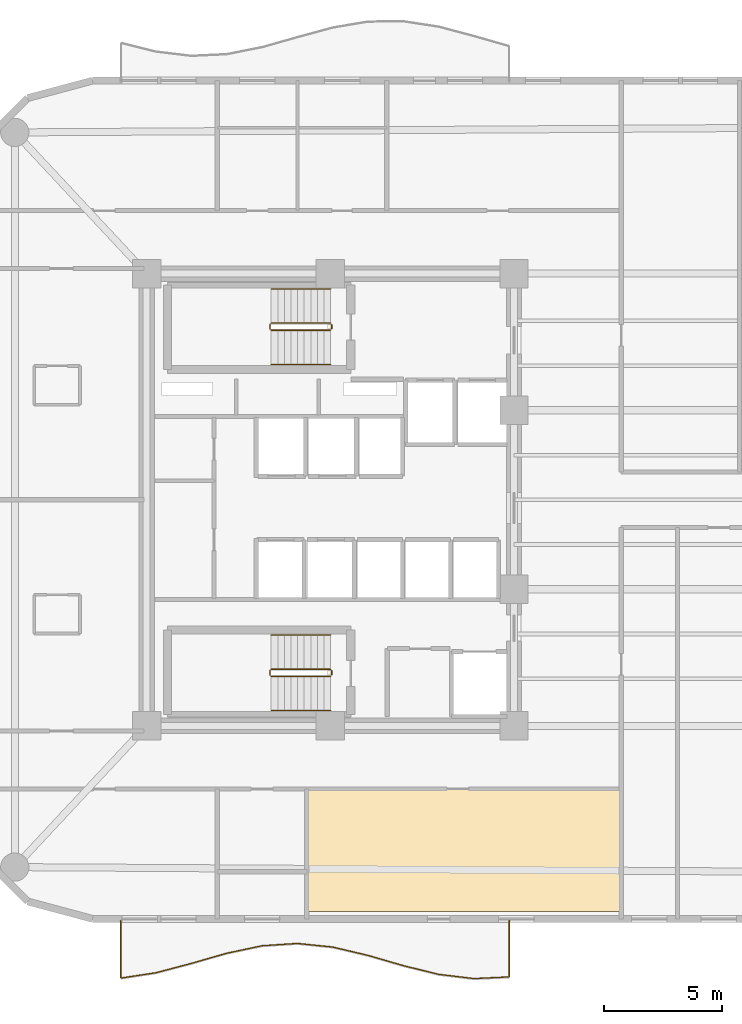
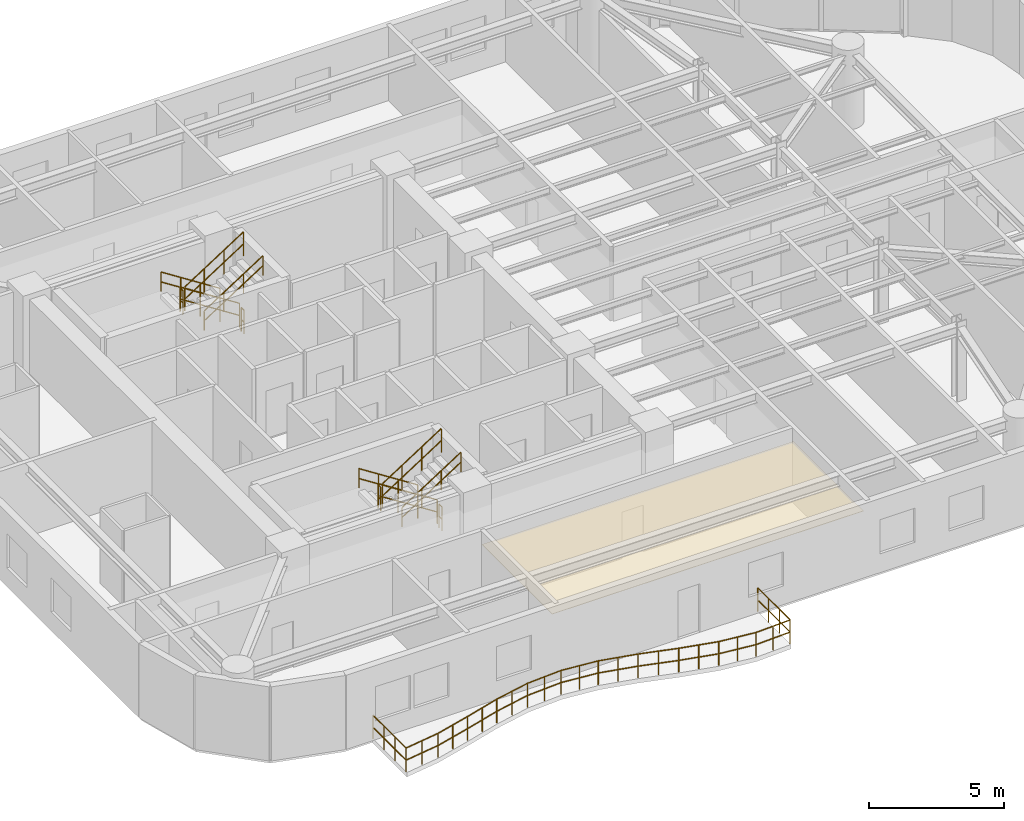
# One storey, part 14 of 15: 13 railings, 1 covering.
"""IFC4 building model written with IfcOpenShell, lengths in metres."""

import ifcopenshell
import ifcopenshell.guid

model = None  # the IFC model being written
_history = None  # IfcOwnerHistory: only IFC2X3 demands one
_inside = {}  # id of a spatial element -> (the spatial element, [elements in it])
_under = {}  # id of a project, library or spatial element -> (it, [spatial elements below it])
_declared = {}  # id of a project -> (the project, [libraries it declares])
_typed = {}  # id of a type object -> (the type object, [elements of that type])
_made_of = {}  # id of a material, layer set ... -> (it, [elements and type objects made of it])


def new_model(schema):
    """Start an empty IFC model of exactly this schema.

    Asked for "IFC4X3", IfcOpenShell would pick the latest addendum, in which some entities
    have other attributes; the version numbers below select the first issue.
    IFC2X3 requires an IfcOwnerHistory on every rooted entity: one is made here for all.
    """
    global model, _history
    if schema == "IFC4X3":
        model = ifcopenshell.file(schema_version=(4, 3, 0, 0))
    else:
        model = ifcopenshell.file(schema=schema)
    _inside.clear()
    _under.clear()
    _declared.clear()
    _typed.clear()
    _made_of.clear()
    _history = None
    if model.schema == "IFC2X3":
        org = make("IfcOrganization", Name="unknown")
        user = make(
            "IfcPersonAndOrganization",
            ThePerson=make("IfcPerson", FamilyName="unknown"),
            TheOrganization=org,
        )
        app = make(
            "IfcApplication",
            ApplicationDeveloper=org,
            Version="unknown",
            ApplicationFullName="unknown",
            ApplicationIdentifier="unknown",
        )
        _history = make(
            "IfcOwnerHistory",
            OwningUser=user,
            OwningApplication=app,
            ChangeAction="ADDED",
            CreationDate=0,
        )
    return model


def make(cls, **values):
    """One entity of the class cls with the attributes given. An attribute that is None is left unset."""
    return model.create_entity(
        cls, **{name: value for name, value in values.items() if value is not None}
    )


def rooted(cls, **values):
    """An entity with a GlobalId (a new one), such as an element, a storey or a relation."""
    return make(cls, GlobalId=ifcopenshell.guid.new(), OwnerHistory=_history, **values)


def si_unit(unit_type, name, prefix=None):
    """IfcSIUnit, for example si_unit("LENGTHUNIT", "METRE", prefix="MILLI")."""
    return make("IfcSIUnit", UnitType=unit_type, Prefix=prefix, Name=name)


def assignment(units):
    """IfcUnitAssignment: the units of a project."""
    return None if units is None else make("IfcUnitAssignment", Units=units)


def point(xyz):
    """IfcCartesianPoint."""
    return None if xyz is None else make("IfcCartesianPoint", Coordinates=xyz)


def direction(xyz):
    """IfcDirection."""
    return None if xyz is None else make("IfcDirection", DirectionRatios=xyz)


def frame(location, z_axis=None, x_axis=None):
    """IfcAxis2Placement3D, a coordinate frame: its origin and axes. An axis left out is left unset."""
    return make(
        "IfcAxis2Placement3D",
        Location=point(location),
        Axis=direction(z_axis),
        RefDirection=direction(x_axis),
    )


def frame_2d(location, x_axis=None):
    """IfcAxis2Placement2D, a coordinate frame in the plane: its origin and x axis."""
    return make(
        "IfcAxis2Placement2D", Location=point(location), RefDirection=direction(x_axis)
    )


def origin():
    """The frame at (0, 0, 0) with its axes left unset."""
    return frame((0.0, 0.0, 0.0))


def origin_2d():
    """The frame at (0, 0) in the plane with its x axis left unset."""
    return frame_2d((0.0, 0.0))


def place(relative_to, where):
    """IfcLocalPlacement: puts the frame where relative to a parent placement (None: the world)."""
    return make(
        "IfcLocalPlacement", PlacementRelTo=relative_to, RelativePlacement=where
    )


def context(
    kind, dimensions, precision=None, world=None, true_north=None, identifier=None
):
    """IfcGeometricRepresentationContext, for example the 3D "Model" context."""
    return make(
        "IfcGeometricRepresentationContext",
        ContextIdentifier=identifier,
        ContextType=kind,
        CoordinateSpaceDimension=dimensions,
        Precision=precision,
        WorldCoordinateSystem=world,
        TrueNorth=true_north,
    )


def subcontext(parent, identifier, kind, view, scale=None):
    """IfcGeometricRepresentationSubContext, for example "Body" below "Model"."""
    return make(
        "IfcGeometricRepresentationSubContext",
        ContextIdentifier=identifier,
        ContextType=kind,
        ParentContext=parent,
        TargetScale=scale,
        TargetView=view,
    )


def project(units=None, contexts=None):
    """IfcProject with its units and contexts."""
    return rooted(
        "IfcProject",
        Name="project",
        RepresentationContexts=contexts,
        UnitsInContext=assignment(units),
    )


def spatial(cls, under=None, at=None, **own):
    """A site, building, storey or space (cls), placed at a placement, below another one or the project."""
    s = rooted(cls, ObjectPlacement=at, **own)
    if under is not None:
        _under.setdefault(under.id(), (under, []))[1].append(s)
    return s


def polyline(points):
    """IfcPolyline through the points."""
    return make("IfcPolyline", Points=[point(p) for p in points])


def profile(cls, at=None, kind="AREA", **sizes):
    """A parametric profile (cls). Its sizes go by their IFC names, for example OverallWidth=200.0."""
    return make(cls, ProfileType=kind, Position=at, **sizes)


def circle(**sizes):
    """IfcCircleProfileDef."""
    return profile("IfcCircleProfileDef", **sizes)


def outline(outer, holes=None, kind="AREA"):
    """IfcArbitraryClosedProfileDef: a profile drawn as a closed curve; with holes, ...WithVoids."""
    if holes is None:
        return make("IfcArbitraryClosedProfileDef", ProfileType=kind, OuterCurve=outer)
    return make(
        "IfcArbitraryProfileDefWithVoids",
        ProfileType=kind,
        OuterCurve=outer,
        InnerCurves=holes,
    )


def extrude(swept, where, along, depth):
    """IfcExtrudedAreaSolid: the profile swept, set in the frame where, extruded along a direction by depth."""
    return make(
        "IfcExtrudedAreaSolid",
        SweptArea=swept,
        Position=where,
        ExtrudedDirection=direction(along),
        Depth=depth,
    )


def shape(context_of_items, identifier, shape_type, items):
    """IfcShapeRepresentation: the items that make up one representation, for example the "Body"."""
    return make(
        "IfcShapeRepresentation",
        ContextOfItems=context_of_items,
        RepresentationIdentifier=identifier,
        RepresentationType=shape_type,
        Items=items,
    )


def material(Name=None, Category=None):
    """IfcMaterial."""
    return make("IfcMaterial", Name=Name, Category=Category)


def layer(
    of_material, thickness, ventilated=None, Name=None, Category=None, Priority=None
):
    """IfcMaterialLayer: one layer of a wall or slab, of a material (None: an air gap)."""
    return make(
        "IfcMaterialLayer",
        Material=of_material,
        LayerThickness=thickness,
        IsVentilated=ventilated,
        Name=Name,
        Category=Category,
        Priority=Priority,
    )


def layer_set(layers, Name=None):
    """IfcMaterialLayerSet."""
    return make("IfcMaterialLayerSet", MaterialLayers=layers, LayerSetName=Name)


def made_of(thing, what):
    """Note that an element or type object is made of a material, layer set ...; save() writes the relation."""
    if what is not None:
        _made_of.setdefault(what.id(), (what, []))[1].append(thing)
    return thing


def type_object(cls, material=None, **own):
    """A type object (cls), such as IfcWallType, which elements share."""
    return made_of(rooted(cls, **own), material)


def element(
    cls,
    number,
    at=None,
    inside=None,
    cuts=None,
    type_object=None,
    material=None,
    context=None,
    identifier="Body",
    shape_type=None,
    held_by="IfcProductDefinitionShape",
    body=None,
    shapes=None,
    **own,
):
    """One element of the class cls, such as IfcWall. Its Tag is "e" and its number.

    at: its placement. inside: the storey or other place that contains it. cuts: it is an
    opening in that element (IfcRelVoidsElement). A single representation is given by context,
    identifier, shape_type and body (its items); several are given by shapes. held_by: the class
    of the entity that holds the representations. save() writes the other relations.
    """
    e = rooted(cls, Tag="e%d" % number, ObjectPlacement=at, **own)
    if body is not None:
        shapes = [shape(context, identifier, shape_type, body)]
    if shapes is not None:
        e.Representation = make(held_by, Representations=shapes)
    if inside is not None:
        _inside.setdefault(inside.id(), (inside, []))[1].append(e)
    if cuts is not None:
        rooted(
            "IfcRelVoidsElement", RelatingBuildingElement=cuts, RelatedOpeningElement=e
        )
    if type_object is not None:
        _typed.setdefault(type_object.id(), (type_object, []))[1].append(e)
    return made_of(e, material)


def aggregate(whole, parts):
    """IfcRelAggregates: a whole, such as a stair, and the parts it consists of."""
    return rooted("IfcRelAggregates", RelatingObject=whole, RelatedObjects=parts)


def save(model, path):
    """Write the relations noted so far, then the file.

    IfcRelAggregates (storeys below a building ...), IfcRelContainedInSpatialStructure (elements
    in a storey), IfcRelDefinesByType, IfcRelAssociatesMaterial and IfcRelDeclares: one each for
    every whole, place, type object, material and project.
    """
    for whole, parts in _under.values():
        aggregate(whole, parts)
    for where, things in _inside.values():
        rooted(
            "IfcRelContainedInSpatialStructure",
            RelatedElements=things,
            RelatingStructure=where,
        )
    for kind, things in _typed.values():
        rooted("IfcRelDefinesByType", RelatedObjects=things, RelatingType=kind)
    for what, things in _made_of.values():
        rooted("IfcRelAssociatesMaterial", RelatedObjects=things, RelatingMaterial=what)
    for by, libraries in _declared.values():
        rooted("IfcRelDeclares", RelatingContext=by, RelatedDefinitions=libraries)
    model.write(path)


model = new_model("IFC4")

# Units and contexts
model_context = context("Model", 3, precision=1e-05, world=origin(), true_north=direction((0.0, 1.0)))
body_context = subcontext(model_context, "Body", "Model", "MODEL_VIEW")
ifc_project = project(units=[si_unit("LENGTHUNIT", "METRE"), si_unit("AREAUNIT", "SQUARE_METRE"), si_unit("VOLUMEUNIT", "CUBIC_METRE"), si_unit("PLANEANGLEUNIT", "RADIAN"), si_unit("MASSUNIT", "GRAM", prefix="KILO")], contexts=[model_context])

# Site, building, storey
site_placement = place(None, origin())
site = spatial("IfcSite", under=ifc_project, at=site_placement, CompositionType="ELEMENT")
building_placement = place(site_placement, origin())
building = spatial("IfcBuilding", under=site, at=building_placement, Name="An Khanh Terracotta Commons", CompositionType="ELEMENT")
storey_placement = place(building_placement, frame((0.0, 0.0, 187.0)))
storey = spatial("IfcBuildingStorey", under=building, at=storey_placement, Name="L49", CompositionType="ELEMENT", Elevation=187.0)

# Covering
ifc_material_1 = material(Name="Perforated Mineral-Fibre Acoustic Tile")
ifc_layer = layer(ifc_material_1, 0.02001953125, Name="Perforated Mineral-Fibre Acoustic Tile")
ifc_layer_set = layer_set([ifc_layer], Name="Perforated Mineral-Fibre Acoustic Tile")
covering_type = type_object("IfcCoveringType", Name="CEIL-ACOUSTIC-18", PredefinedType="CEILING", material=ifc_layer_set)
covering_placement = place(storey_placement, frame((0.0, 0.0, 2.64990234375)))
element("IfcCovering", 1, at=covering_placement, inside=storey, type_object=covering_type, Name="L49 Music Lounge Ceiling", PredefinedType="CEILING", context=body_context, shape_type="SweptSolid", body=[
    extrude(outline(polyline([(28.39990234375, 6.52001953125), (28.39990234375, 8.199951171875), (28.39990234375, 11.719970703125), (37.5, 11.719970703125), (41.75, 11.719970703125), (41.75, 6.52001953125), (28.39990234375, 6.52001953125)])), origin(), (0.0, 0.0, 1.0), 0.02001953125),
])

# Railings
ifc_material_2 = material(Name="Brushed Stainless Steel 316", Category="steel")
railing_type_1 = type_object("IfcRailingType", Name="RAIL-BALUSTRADE-1100", PredefinedType="BALUSTRADE", material=ifc_material_2)
railing_1_placement = place(storey_placement, frame((20.5, 6.139892578125, 0.0)))
element("IfcRailing", 2, at=railing_1_placement, inside=storey, type_object=railing_type_1, Name="L49 S Wave Balcony Guard Balustrade", PredefinedType="BALUSTRADE", context=body_context, shape_type="SweptSolid", body=[
    extrude(circle(Radius=0.02392578125, at=origin_2d()), frame((0.0, 0.0, 1.076171875), z_axis=(0.0, -1.0, 0.0), x_axis=(1.0, 0.0, 0.0)), (0.0, 0.0, 1.0), 2.453857421875),
    extrude(circle(Radius=0.02392578125, at=origin_2d()), frame((0.0, 0.0, 0.52587890625), z_axis=(0.0, -1.0, 0.0), x_axis=(1.0, 0.0, 0.0)), (0.0, 0.0, 1.0), 2.453857421875),
    extrude(circle(Radius=0.02392578125, at=origin_2d()), frame((0.0, -2.453857421875, 1.076171875), z_axis=(0.988545890906, 0.15092058035, 0.0), x_axis=(-0.15092058035, 0.988545890906, 0.0)), (0.0, 0.0, 1.0), 1.517333984375),
    extrude(circle(Radius=0.02392578125, at=origin_2d()), frame((0.0, -2.453857421875, 0.52587890625), z_axis=(0.988545890906, 0.15092058035, 0.0), x_axis=(-0.15092058035, 0.988545890906, 0.0)), (0.0, 0.0, 1.0), 1.517333984375),
    extrude(circle(Radius=0.02392578125, at=origin_2d()), frame((1.5, -2.224853515625, 1.076171875), z_axis=(0.966718963822, 0.255840663277, 0.0), x_axis=(-0.255840663277, 0.966718963822, 0.0)), (0.0, 0.0, 1.0), 1.5517578125),
    extrude(circle(Radius=0.02392578125, at=origin_2d()), frame((1.5, -2.224853515625, 0.52587890625), z_axis=(0.966718963822, 0.255840663277, 0.0), x_axis=(-0.255840663277, 0.966718963822, 0.0)), (0.0, 0.0, 1.0), 1.5517578125),
    extrude(circle(Radius=0.02392578125, at=origin_2d()), frame((3.0, -1.827880859375, 1.076171875), z_axis=(0.961293347262, 0.275526950607, 0.0), x_axis=(-0.275526950607, 0.961293347262, 0.0)), (0.0, 0.0, 1.0), 1.560302734375),
    extrude(circle(Radius=0.02392578125, at=origin_2d()), frame((3.0, -1.827880859375, 0.52587890625), z_axis=(0.961293347262, 0.275526950607, 0.0), x_axis=(-0.275526950607, 0.961293347262, 0.0)), (0.0, 0.0, 1.0), 1.560302734375),
    extrude(circle(Radius=0.02392578125, at=origin_2d()), frame((4.5, -1.39794921875, 1.076171875), z_axis=(0.978242938641, 0.207462654468, 0.0), x_axis=(-0.207462654468, 0.978242938641, 0.0)), (0.0, 0.0, 1.0), 1.533447265625),
    extrude(circle(Radius=0.02392578125, at=origin_2d()), frame((4.5, -1.39794921875, 0.52587890625), z_axis=(0.978242938641, 0.207462654468, 0.0), x_axis=(-0.207462654468, 0.978242938641, 0.0)), (0.0, 0.0, 1.0), 1.533447265625),
    extrude(circle(Radius=0.02392578125, at=origin_2d()), frame((6.0, -1.079833984375, 1.076171875), z_axis=(0.99787689467, 0.065128358523, 0.0), x_axis=(-0.065128358523, 0.99787689467, 0.0)), (0.0, 0.0, 1.0), 1.503173828125),
    extrude(circle(Radius=0.02392578125, at=origin_2d()), frame((6.0, -1.079833984375, 0.52587890625), z_axis=(0.99787689467, 0.065128358523, 0.0), x_axis=(-0.065128358523, 0.99787689467, 0.0)), (0.0, 0.0, 1.0), 1.503173828125),
    extrude(circle(Radius=0.02392578125, at=origin_2d()), frame((7.5, -0.98193359375, 1.076171875), z_axis=(0.994833141332, -0.101523499286, 0.0), x_axis=(0.101523499286, 0.994833141332, 0.0)), (0.0, 0.0, 1.0), 1.5078125),
    extrude(circle(Radius=0.02392578125, at=origin_2d()), frame((7.5, -0.98193359375, 0.52587890625), z_axis=(0.994833141332, -0.101523499286, 0.0), x_axis=(0.101523499286, 0.994833141332, 0.0)), (0.0, 0.0, 1.0), 1.5078125),
    extrude(circle(Radius=0.02392578125, at=origin_2d()), frame((9.0, -1.135009765625, 1.076171875), z_axis=(0.973263214687, -0.229692653206, 0.0), x_axis=(0.229692653206, 0.973263214687, 0.0)), (0.0, 0.0, 1.0), 1.541259765625),
    extrude(circle(Radius=0.02392578125, at=origin_2d()), frame((9.0, -1.135009765625, 0.52587890625), z_axis=(0.973263214687, -0.229692653206, 0.0), x_axis=(0.229692653206, 0.973263214687, 0.0)), (0.0, 0.0, 1.0), 1.541259765625),
    extrude(circle(Radius=0.02392578125, at=origin_2d()), frame((10.5, -1.489013671875, 1.076171875), z_axis=(0.960460913759, -0.278414857976, 0.0), x_axis=(0.278414857976, 0.960460913759, 0.0)), (0.0, 0.0, 1.0), 1.561767578125),
    extrude(circle(Radius=0.02392578125, at=origin_2d()), frame((10.5, -1.489013671875, 0.52587890625), z_axis=(0.960460913759, -0.278414857976, 0.0), x_axis=(0.278414857976, 0.960460913759, 0.0)), (0.0, 0.0, 1.0), 1.561767578125),
    extrude(circle(Radius=0.02392578125, at=origin_2d()), frame((12.0, -1.923828125, 1.076171875), z_axis=(0.970881568768, -0.239559970419, 0.0), x_axis=(0.239559970419, 0.970881568768, 0.0)), (0.0, 0.0, 1.0), 1.544921875),
    extrude(circle(Radius=0.02392578125, at=origin_2d()), frame((12.0, -1.923828125, 0.52587890625), z_axis=(0.970881568768, -0.239559970419, 0.0), x_axis=(0.239559970419, 0.970881568768, 0.0)), (0.0, 0.0, 1.0), 1.544921875),
    extrude(circle(Radius=0.02392578125, at=origin_2d()), frame((13.5, -2.2939453125, 1.076171875), z_axis=(0.99288219023, -0.11910061429, 0.0), x_axis=(0.11910061429, 0.99288219023, 0.0)), (0.0, 0.0, 1.0), 1.5107421875),
    extrude(circle(Radius=0.02392578125, at=origin_2d()), frame((13.5, -2.2939453125, 0.52587890625), z_axis=(0.99288219023, -0.11910061429, 0.0), x_axis=(0.11910061429, 0.99288219023, 0.0)), (0.0, 0.0, 1.0), 1.5107421875),
    extrude(circle(Radius=0.02392578125, at=origin_2d()), frame((15.0, -2.473876953125, 1.076171875), z_axis=(0.998880243389, 0.047310245903, 0.0), x_axis=(-0.047310245903, 0.998880243389, 0.0)), (0.0, 0.0, 1.0), 1.501708984375),
    extrude(circle(Radius=0.02392578125, at=origin_2d()), frame((15.0, -2.473876953125, 0.52587890625), z_axis=(0.998880243389, 0.047310245903, 0.0), x_axis=(-0.047310245903, 0.998880243389, 0.0)), (0.0, 0.0, 1.0), 1.501708984375),
    extrude(circle(Radius=0.02392578125, at=origin_2d()), frame((16.5, -2.40283203125, 1.076171875), z_axis=(0.0, 1.0, 0.0), x_axis=(-1.0, 0.0, 0.0)), (0.0, 0.0, 1.0), 2.40283203125),
    extrude(circle(Radius=0.02392578125, at=origin_2d()), frame((16.5, -2.40283203125, 0.52587890625), z_axis=(0.0, 1.0, 0.0), x_axis=(-1.0, 0.0, 0.0)), (0.0, 0.0, 1.0), 2.40283203125),
    extrude(circle(Radius=0.02099609375, at=origin_2d()), origin(), (0.0, 0.0, 1.0), 1.052001953125),
    extrude(circle(Radius=0.02099609375, at=origin_2d()), frame((0.0, -0.81787109375, 0.0)), (0.0, 0.0, 1.0), 1.052001953125),
    extrude(circle(Radius=0.02099609375, at=origin_2d()), frame((0.0, -1.635986328125, 0.0)), (0.0, 0.0, 1.0), 1.052001953125),
    extrude(circle(Radius=0.02099609375, at=origin_2d()), frame((0.0, -2.453857421875, 0.0)), (0.0, 0.0, 1.0), 1.052001953125),
    extrude(circle(Radius=0.02099609375, at=origin_2d()), frame((0.75, -2.33935546875, 0.0)), (0.0, 0.0, 1.0), 1.052001953125),
    extrude(circle(Radius=0.02099609375, at=origin_2d()), frame((1.5, -2.224853515625, 0.0)), (0.0, 0.0, 1.0), 1.052001953125),
    extrude(circle(Radius=0.02099609375, at=origin_2d()), frame((2.25, -2.0263671875, 0.0)), (0.0, 0.0, 1.0), 1.052001953125),
    extrude(circle(Radius=0.02099609375, at=origin_2d()), frame((3.0, -1.827880859375, 0.0)), (0.0, 0.0, 1.0), 1.052001953125),
    extrude(circle(Radius=0.02099609375, at=origin_2d()), frame((3.75, -1.61279296875, 0.0)), (0.0, 0.0, 1.0), 1.052001953125),
    extrude(circle(Radius=0.02099609375, at=origin_2d()), frame((4.5, -1.39794921875, 0.0)), (0.0, 0.0, 1.0), 1.052001953125),
    extrude(circle(Radius=0.02099609375, at=origin_2d()), frame((5.25, -1.23876953125, 0.0)), (0.0, 0.0, 1.0), 1.052001953125),
    extrude(circle(Radius=0.02099609375, at=origin_2d()), frame((6.0, -1.079833984375, 0.0)), (0.0, 0.0, 1.0), 1.052001953125),
    extrude(circle(Radius=0.02099609375, at=origin_2d()), frame((6.75, -1.03076171875, 0.0)), (0.0, 0.0, 1.0), 1.052001953125),
    extrude(circle(Radius=0.02099609375, at=origin_2d()), frame((7.5, -0.98193359375, 0.0)), (0.0, 0.0, 1.0), 1.052001953125),
    extrude(circle(Radius=0.02099609375, at=origin_2d()), frame((8.25, -1.05859375, 0.0)), (0.0, 0.0, 1.0), 1.052001953125),
    extrude(circle(Radius=0.02099609375, at=origin_2d()), frame((9.0, -1.135009765625, 0.0)), (0.0, 0.0, 1.0), 1.052001953125),
    extrude(circle(Radius=0.02099609375, at=origin_2d()), frame((9.75, -1.31201171875, 0.0)), (0.0, 0.0, 1.0), 1.052001953125),
    extrude(circle(Radius=0.02099609375, at=origin_2d()), frame((10.5, -1.489013671875, 0.0)), (0.0, 0.0, 1.0), 1.052001953125),
    extrude(circle(Radius=0.02099609375, at=origin_2d()), frame((11.25, -1.70654296875, 0.0)), (0.0, 0.0, 1.0), 1.052001953125),
    extrude(circle(Radius=0.02099609375, at=origin_2d()), frame((12.0, -1.923828125, 0.0)), (0.0, 0.0, 1.0), 1.052001953125),
    extrude(circle(Radius=0.02099609375, at=origin_2d()), frame((12.75, -2.10888671875, 0.0)), (0.0, 0.0, 1.0), 1.052001953125),
    extrude(circle(Radius=0.02099609375, at=origin_2d()), frame((13.5, -2.2939453125, 0.0)), (0.0, 0.0, 1.0), 1.052001953125),
    extrude(circle(Radius=0.02099609375, at=origin_2d()), frame((14.25, -2.3837890625, 0.0)), (0.0, 0.0, 1.0), 1.052001953125),
    extrude(circle(Radius=0.02099609375, at=origin_2d()), frame((15.0, -2.473876953125, 0.0)), (0.0, 0.0, 1.0), 1.052001953125),
    extrude(circle(Radius=0.02099609375, at=origin_2d()), frame((15.75, -2.4384765625, 0.0)), (0.0, 0.0, 1.0), 1.052001953125),
    extrude(circle(Radius=0.02099609375, at=origin_2d()), frame((16.5, -2.40283203125, 0.0)), (0.0, 0.0, 1.0), 1.052001953125),
    extrude(circle(Radius=0.02099609375, at=origin_2d()), frame((16.5, -1.601806640625, 0.0)), (0.0, 0.0, 1.0), 1.052001953125),
    extrude(circle(Radius=0.02099609375, at=origin_2d()), frame((16.5, -0.801025390625, 0.0)), (0.0, 0.0, 1.0), 1.052001953125),
    extrude(circle(Radius=0.02099609375, at=origin_2d()), frame((16.5, 0.0, 0.0)), (0.0, 0.0, 1.0), 1.052001953125),
])
railing_type_2 = type_object("IfcRailingType", Name="RAIL-HANDRAIL-900", PredefinedType="HANDRAIL", material=ifc_material_2)
railing_2_placement = place(storey_placement, frame((29.409912109375, 32.949951171875, 0.179931640625)))
element("IfcRailing", 3, at=railing_2_placement, inside=storey, type_object=railing_type_2, Name="L49 ST-01 stair handrail 1", PredefinedType="HANDRAIL", context=body_context, shape_type="SweptSolid", body=[
    extrude(circle(Radius=0.02392578125, at=origin_2d()), frame((0.0, 0.0, 0.8759765625), z_axis=(-0.841162588446, 0.0, 0.540782303519), x_axis=(0.0, -1.0, 0.0)), (0.0, 0.0, 1.0), 2.995849609375),
    extrude(circle(Radius=0.02392578125, at=origin_2d()), frame((0.0, 0.0, 0.42578125), z_axis=(-0.841162588446, 0.0, 0.540782303519), x_axis=(0.0, -1.0, 0.0)), (0.0, 0.0, 1.0), 2.995849609375),
    extrude(circle(Radius=0.02099609375, at=origin_2d()), origin(), (0.0, 0.0, 1.0), 0.851806640625),
    extrude(circle(Radius=0.02099609375, at=origin_2d()), frame((-0.840087890625, 0.0, 0.5400390625)), (0.0, 0.0, 1.0), 0.851806640625),
    extrude(circle(Radius=0.02099609375, at=origin_2d()), frame((-1.679931640625, 0.0, 1.080078125)), (0.0, 0.0, 1.0), 0.851806640625),
    extrude(circle(Radius=0.02099609375, at=origin_2d()), frame((-2.52001953125, 0.0, 1.6201171875)), (0.0, 0.0, 1.0), 0.851806640625),
])
railing_3_placement = place(storey_placement, frame((26.889892578125, 29.75, 1.97998046875)))
element("IfcRailing", 4, at=railing_3_placement, inside=storey, type_object=railing_type_2, Name="L49 ST-01 stair handrail 2", PredefinedType="HANDRAIL", context=body_context, shape_type="SweptSolid", body=[
    extrude(circle(Radius=0.02392578125, at=origin_2d()), frame((0.0, 0.0, 0.8759765625), z_axis=(0.841162588446, 0.0, 0.540782303519), x_axis=(0.0, 1.0, 0.0)), (0.0, 0.0, 1.0), 2.995849609375),
    extrude(circle(Radius=0.02392578125, at=origin_2d()), frame((0.0, 0.0, 0.42578125), z_axis=(0.841162588446, 0.0, 0.540782303519), x_axis=(0.0, 1.0, 0.0)), (0.0, 0.0, 1.0), 2.995849609375),
    extrude(circle(Radius=0.02099609375, at=origin_2d()), origin(), (0.0, 0.0, 1.0), 0.851806640625),
    extrude(circle(Radius=0.02099609375, at=origin_2d()), frame((0.840087890625, 0.0, 0.5400390625)), (0.0, 0.0, 1.0), 0.851806640625),
    extrude(circle(Radius=0.02099609375, at=origin_2d()), frame((1.679931640625, 0.0, 1.080078125)), (0.0, 0.0, 1.0), 0.851806640625),
    extrude(circle(Radius=0.02099609375, at=origin_2d()), frame((2.52001953125, 0.0, 1.6201171875)), (0.0, 0.0, 1.0), 0.851806640625),
])
railing_4_placement = place(storey_placement, frame((29.409912109375, 18.25, 0.179931640625)))
element("IfcRailing", 5, at=railing_4_placement, inside=storey, type_object=railing_type_2, Name="L49 ST-02 stair handrail 1", PredefinedType="HANDRAIL", context=body_context, shape_type="SweptSolid", body=[
    extrude(circle(Radius=0.02392578125, at=origin_2d()), frame((0.0, 0.0, 0.8759765625), z_axis=(-0.841162588446, 0.0, 0.540782303519), x_axis=(0.0, -1.0, 0.0)), (0.0, 0.0, 1.0), 2.995849609375),
    extrude(circle(Radius=0.02392578125, at=origin_2d()), frame((0.0, 0.0, 0.42578125), z_axis=(-0.841162588446, 0.0, 0.540782303519), x_axis=(0.0, -1.0, 0.0)), (0.0, 0.0, 1.0), 2.995849609375),
    extrude(circle(Radius=0.02099609375, at=origin_2d()), origin(), (0.0, 0.0, 1.0), 0.851806640625),
    extrude(circle(Radius=0.02099609375, at=origin_2d()), frame((-0.840087890625, 0.0, 0.5400390625)), (0.0, 0.0, 1.0), 0.851806640625),
    extrude(circle(Radius=0.02099609375, at=origin_2d()), frame((-1.679931640625, 0.0, 1.080078125)), (0.0, 0.0, 1.0), 0.851806640625),
    extrude(circle(Radius=0.02099609375, at=origin_2d()), frame((-2.52001953125, 0.0, 1.6201171875)), (0.0, 0.0, 1.0), 0.851806640625),
])
railing_5_placement = place(storey_placement, frame((26.889892578125, 15.050048828125, 1.97998046875)))
element("IfcRailing", 6, at=railing_5_placement, inside=storey, type_object=railing_type_2, Name="L49 ST-02 stair handrail 2", PredefinedType="HANDRAIL", context=body_context, shape_type="SweptSolid", body=[
    extrude(circle(Radius=0.02392578125, at=origin_2d()), frame((0.0, 0.0, 0.8759765625), z_axis=(0.841162588446, 0.0, 0.540782303519), x_axis=(0.0, 1.0, 0.0)), (0.0, 0.0, 1.0), 2.995849609375),
    extrude(circle(Radius=0.02392578125, at=origin_2d()), frame((0.0, 0.0, 0.42578125), z_axis=(0.841162588446, 0.0, 0.540782303519), x_axis=(0.0, 1.0, 0.0)), (0.0, 0.0, 1.0), 2.995849609375),
    extrude(circle(Radius=0.02099609375, at=origin_2d()), origin(), (0.0, 0.0, 1.0), 0.851806640625),
    extrude(circle(Radius=0.02099609375, at=origin_2d()), frame((0.840087890625, 0.0, 0.5400390625)), (0.0, 0.0, 1.0), 0.851806640625),
    extrude(circle(Radius=0.02099609375, at=origin_2d()), frame((1.679931640625, 0.0, 1.080078125)), (0.0, 0.0, 1.0), 0.851806640625),
    extrude(circle(Radius=0.02099609375, at=origin_2d()), frame((2.52001953125, 0.0, 1.6201171875)), (0.0, 0.0, 1.0), 0.851806640625),
])
ifc_material_3 = material(Name="Powder-Coated Steel S355J2", Category="steel")
railing_type_3 = type_object("IfcRailingType", Name="RAIL-STAIR-GUARD-1100", PredefinedType="BALUSTRADE", material=ifc_material_3)
railing_6_placement = place(storey_placement, frame((29.409912109375, 31.5, 0.179931640625)))
element("IfcRailing", 7, at=railing_6_placement, inside=storey, type_object=railing_type_3, Name="L49 ST-01 stair guard 1", PredefinedType="BALUSTRADE", context=body_context, shape_type="SweptSolid", body=[
    extrude(circle(Radius=0.02392578125, at=origin_2d()), frame((0.0, 0.0, 1.076171875), z_axis=(-0.841162588446, 0.0, 0.540782303519), x_axis=(0.0, -1.0, 0.0)), (0.0, 0.0, 1.0), 2.995849609375),
    extrude(circle(Radius=0.02392578125, at=origin_2d()), frame((0.0, 0.0, 0.52587890625), z_axis=(-0.841162588446, 0.0, 0.540782303519), x_axis=(0.0, -1.0, 0.0)), (0.0, 0.0, 1.0), 2.995849609375),
    extrude(circle(Radius=0.02099609375, at=origin_2d()), origin(), (0.0, 0.0, 1.0), 1.052001953125),
    extrude(circle(Radius=0.02099609375, at=origin_2d()), frame((-0.840087890625, 0.0, 0.5400390625)), (0.0, 0.0, 1.0), 1.052001953125),
    extrude(circle(Radius=0.02099609375, at=origin_2d()), frame((-1.679931640625, 0.0, 1.080078125)), (0.0, 0.0, 1.0), 1.052001953125),
    extrude(circle(Radius=0.02099609375, at=origin_2d()), frame((-2.52001953125, 0.0, 1.6201171875)), (0.0, 0.0, 1.0), 1.052001953125),
])
railing_7_placement = place(storey_placement, frame((26.840087890625, 31.449951171875, 1.800048828125)))
element("IfcRailing", 8, at=railing_7_placement, inside=storey, type_object=railing_type_3, Name="L49 ST-01 stair guard 2", PredefinedType="BALUSTRADE", context=body_context, shape_type="SweptSolid", body=[
    extrude(circle(Radius=0.02392578125, at=origin_2d()), frame((0.0, 0.0, 1.076171875), z_axis=(0.0, -1.0, 0.0), x_axis=(1.0, 0.0, 0.0)), (0.0, 0.0, 1.0), 0.199951171875),
    extrude(circle(Radius=0.02392578125, at=origin_2d()), frame((0.0, 0.0, 0.52587890625), z_axis=(0.0, -1.0, 0.0), x_axis=(1.0, 0.0, 0.0)), (0.0, 0.0, 1.0), 0.199951171875),
    extrude(circle(Radius=0.02099609375, at=origin_2d()), origin(), (0.0, 0.0, 1.0), 1.052001953125),
    extrude(circle(Radius=0.02099609375, at=origin_2d()), frame((0.0, -0.199951171875, 0.0)), (0.0, 0.0, 1.0), 1.052001953125),
])
railing_8_placement = place(storey_placement, frame((26.889892578125, 31.199951171875, 1.97998046875)))
element("IfcRailing", 9, at=railing_8_placement, inside=storey, type_object=railing_type_3, Name="L49 ST-01 stair guard 3", PredefinedType="BALUSTRADE", context=body_context, shape_type="SweptSolid", body=[
    extrude(circle(Radius=0.02392578125, at=origin_2d()), frame((0.0, 0.0, 1.076171875), z_axis=(0.841162588446, 0.0, 0.540782303519), x_axis=(0.0, 1.0, 0.0)), (0.0, 0.0, 1.0), 2.995849609375),
    extrude(circle(Radius=0.02392578125, at=origin_2d()), frame((0.0, 0.0, 0.52587890625), z_axis=(0.841162588446, 0.0, 0.540782303519), x_axis=(0.0, 1.0, 0.0)), (0.0, 0.0, 1.0), 2.995849609375),
    extrude(circle(Radius=0.02099609375, at=origin_2d()), origin(), (0.0, 0.0, 1.0), 1.052001953125),
    extrude(circle(Radius=0.02099609375, at=origin_2d()), frame((0.840087890625, 0.0, 0.5400390625)), (0.0, 0.0, 1.0), 1.052001953125),
    extrude(circle(Radius=0.02099609375, at=origin_2d()), frame((1.679931640625, 0.0, 1.080078125)), (0.0, 0.0, 1.0), 1.052001953125),
    extrude(circle(Radius=0.02099609375, at=origin_2d()), frame((2.52001953125, 0.0, 1.6201171875)), (0.0, 0.0, 1.0), 1.052001953125),
])
railing_9_placement = place(storey_placement, frame((29.4599609375, 31.449951171875, 0.0)))
element("IfcRailing", 10, at=railing_9_placement, inside=storey, type_object=railing_type_3, Name="L49 ST-01 stair guard 4", PredefinedType="BALUSTRADE", context=body_context, shape_type="SweptSolid", body=[
    extrude(circle(Radius=0.02392578125, at=origin_2d()), frame((0.0, 0.0, 1.076171875), z_axis=(0.0, -1.0, 0.0), x_axis=(1.0, 0.0, 0.0)), (0.0, 0.0, 1.0), 0.199951171875),
    extrude(circle(Radius=0.02392578125, at=origin_2d()), frame((0.0, 0.0, 0.52587890625), z_axis=(0.0, -1.0, 0.0), x_axis=(1.0, 0.0, 0.0)), (0.0, 0.0, 1.0), 0.199951171875),
    extrude(circle(Radius=0.02099609375, at=origin_2d()), origin(), (0.0, 0.0, 1.0), 1.052001953125),
    extrude(circle(Radius=0.02099609375, at=origin_2d()), frame((0.0, -0.199951171875, 0.0)), (0.0, 0.0, 1.0), 1.052001953125),
])
railing_10_placement = place(storey_placement, frame((29.409912109375, 16.800048828125, 0.179931640625)))
element("IfcRailing", 11, at=railing_10_placement, inside=storey, type_object=railing_type_3, Name="L49 ST-02 stair guard 1", PredefinedType="BALUSTRADE", context=body_context, shape_type="SweptSolid", body=[
    extrude(circle(Radius=0.02392578125, at=origin_2d()), frame((0.0, 0.0, 1.076171875), z_axis=(-0.841162588446, 0.0, 0.540782303519), x_axis=(0.0, -1.0, 0.0)), (0.0, 0.0, 1.0), 2.995849609375),
    extrude(circle(Radius=0.02392578125, at=origin_2d()), frame((0.0, 0.0, 0.52587890625), z_axis=(-0.841162588446, 0.0, 0.540782303519), x_axis=(0.0, -1.0, 0.0)), (0.0, 0.0, 1.0), 2.995849609375),
    extrude(circle(Radius=0.02099609375, at=origin_2d()), origin(), (0.0, 0.0, 1.0), 1.052001953125),
    extrude(circle(Radius=0.02099609375, at=origin_2d()), frame((-0.840087890625, 0.0, 0.5400390625)), (0.0, 0.0, 1.0), 1.052001953125),
    extrude(circle(Radius=0.02099609375, at=origin_2d()), frame((-1.679931640625, 0.0, 1.080078125)), (0.0, 0.0, 1.0), 1.052001953125),
    extrude(circle(Radius=0.02099609375, at=origin_2d()), frame((-2.52001953125, 0.0, 1.6201171875)), (0.0, 0.0, 1.0), 1.052001953125),
])
railing_11_placement = place(storey_placement, frame((26.840087890625, 16.75, 1.800048828125)))
element("IfcRailing", 12, at=railing_11_placement, inside=storey, type_object=railing_type_3, Name="L49 ST-02 stair guard 2", PredefinedType="BALUSTRADE", context=body_context, shape_type="SweptSolid", body=[
    extrude(circle(Radius=0.02392578125, at=origin_2d()), frame((0.0, 0.0, 1.076171875), z_axis=(0.0, -1.0, 0.0), x_axis=(1.0, 0.0, 0.0)), (0.0, 0.0, 1.0), 0.199951171875),
    extrude(circle(Radius=0.02392578125, at=origin_2d()), frame((0.0, 0.0, 0.52587890625), z_axis=(0.0, -1.0, 0.0), x_axis=(1.0, 0.0, 0.0)), (0.0, 0.0, 1.0), 0.199951171875),
    extrude(circle(Radius=0.02099609375, at=origin_2d()), origin(), (0.0, 0.0, 1.0), 1.052001953125),
    extrude(circle(Radius=0.02099609375, at=origin_2d()), frame((0.0, -0.199951171875, 0.0)), (0.0, 0.0, 1.0), 1.052001953125),
])
railing_12_placement = place(storey_placement, frame((26.889892578125, 16.5, 1.97998046875)))
element("IfcRailing", 13, at=railing_12_placement, inside=storey, type_object=railing_type_3, Name="L49 ST-02 stair guard 3", PredefinedType="BALUSTRADE", context=body_context, shape_type="SweptSolid", body=[
    extrude(circle(Radius=0.02392578125, at=origin_2d()), frame((0.0, 0.0, 1.076171875), z_axis=(0.841162588446, 0.0, 0.540782303519), x_axis=(0.0, 1.0, 0.0)), (0.0, 0.0, 1.0), 2.995849609375),
    extrude(circle(Radius=0.02392578125, at=origin_2d()), frame((0.0, 0.0, 0.52587890625), z_axis=(0.841162588446, 0.0, 0.540782303519), x_axis=(0.0, 1.0, 0.0)), (0.0, 0.0, 1.0), 2.995849609375),
    extrude(circle(Radius=0.02099609375, at=origin_2d()), origin(), (0.0, 0.0, 1.0), 1.052001953125),
    extrude(circle(Radius=0.02099609375, at=origin_2d()), frame((0.840087890625, 0.0, 0.5400390625)), (0.0, 0.0, 1.0), 1.052001953125),
    extrude(circle(Radius=0.02099609375, at=origin_2d()), frame((1.679931640625, 0.0, 1.080078125)), (0.0, 0.0, 1.0), 1.052001953125),
    extrude(circle(Radius=0.02099609375, at=origin_2d()), frame((2.52001953125, 0.0, 1.6201171875)), (0.0, 0.0, 1.0), 1.052001953125),
])
railing_13_placement = place(storey_placement, frame((29.4599609375, 16.75, 0.0)))
element("IfcRailing", 14, at=railing_13_placement, inside=storey, type_object=railing_type_3, Name="L49 ST-02 stair guard 4", PredefinedType="BALUSTRADE", context=body_context, shape_type="SweptSolid", body=[
    extrude(circle(Radius=0.02392578125, at=origin_2d()), frame((0.0, 0.0, 1.076171875), z_axis=(0.0, -1.0, 0.0), x_axis=(1.0, 0.0, 0.0)), (0.0, 0.0, 1.0), 0.199951171875),
    extrude(circle(Radius=0.02392578125, at=origin_2d()), frame((0.0, 0.0, 0.52587890625), z_axis=(0.0, -1.0, 0.0), x_axis=(1.0, 0.0, 0.0)), (0.0, 0.0, 1.0), 0.199951171875),
    extrude(circle(Radius=0.02099609375, at=origin_2d()), origin(), (0.0, 0.0, 1.0), 1.052001953125),
    extrude(circle(Radius=0.02099609375, at=origin_2d()), frame((0.0, -0.199951171875, 0.0)), (0.0, 0.0, 1.0), 1.052001953125),
])

save(model, "model.ifc")
